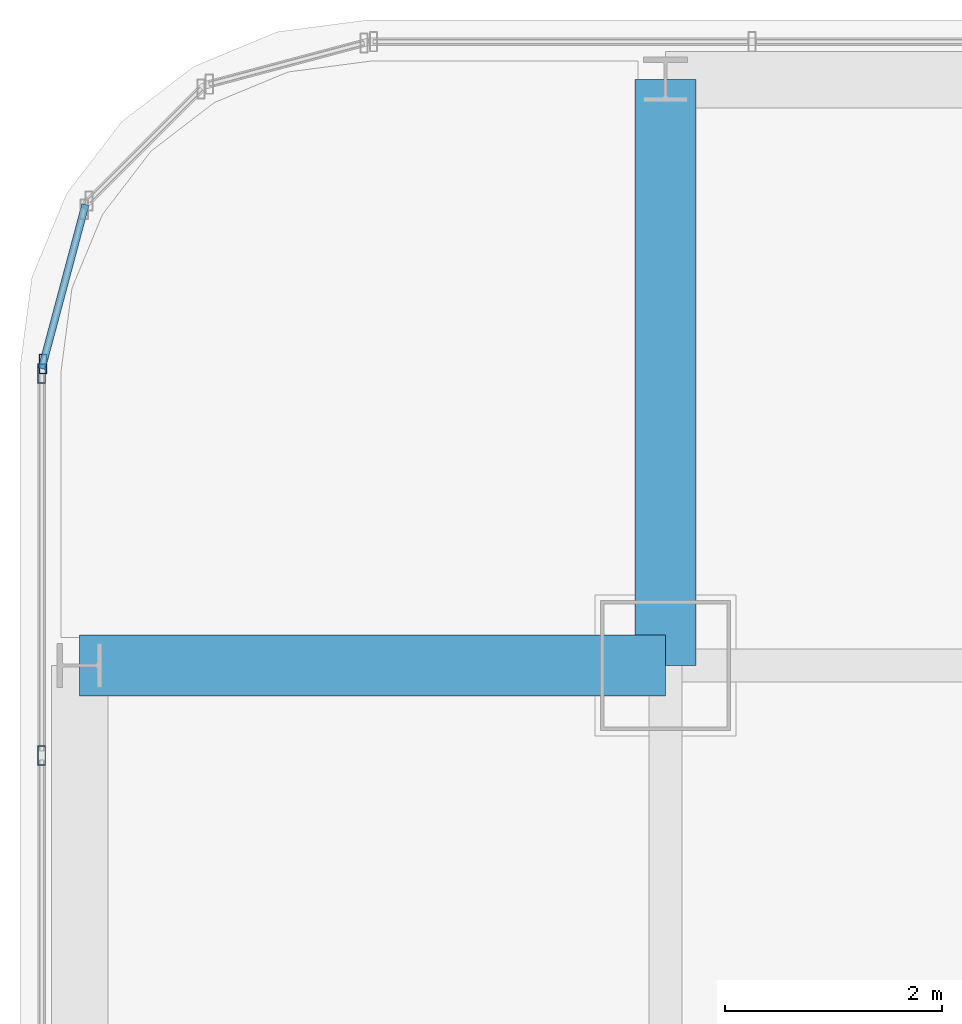
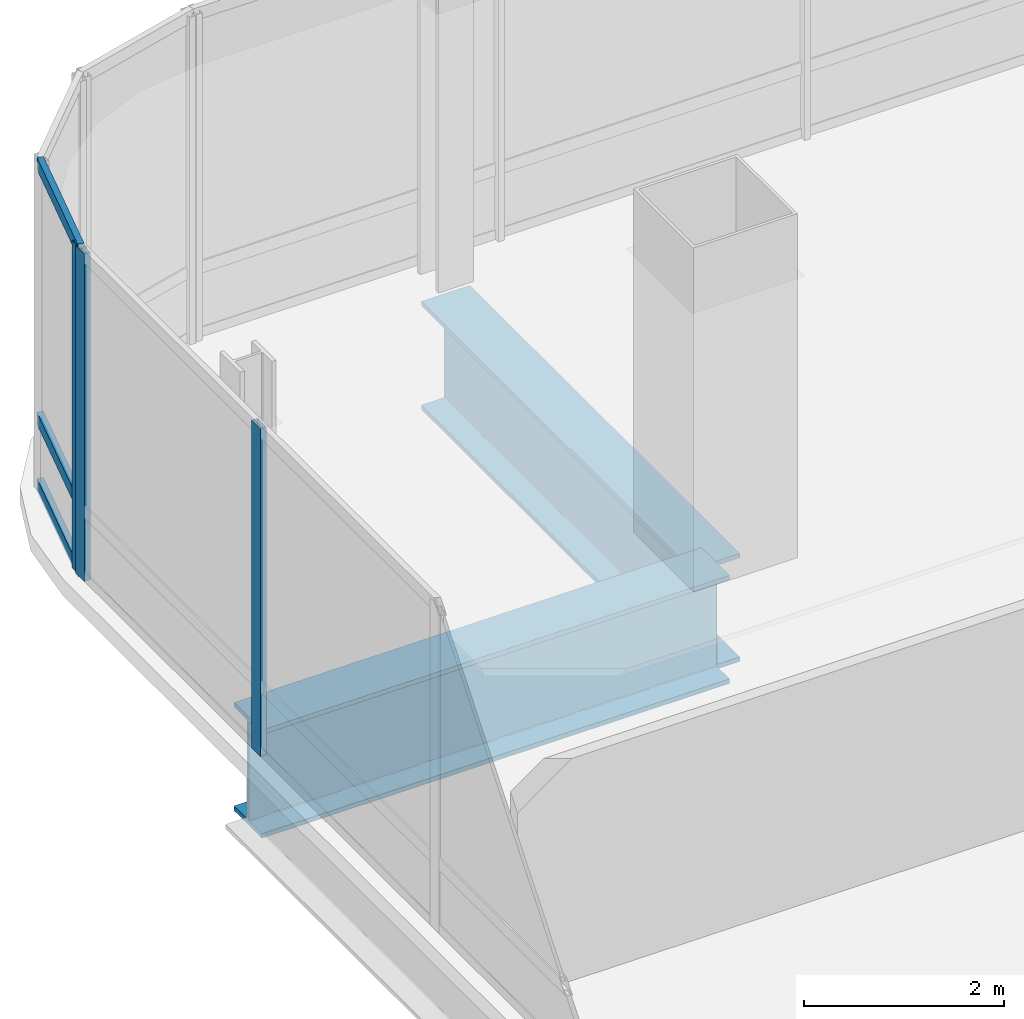
# One storey, part 21 of 41: 6 members, 2 beams, 2 elements without a shape of their own.
"""IFC4 building model written with IfcOpenShell, lengths in metres."""

from ifc_helpers import new_model, si_unit, direction, frame, origin, origin_2d, place, context, subcontext, project, spatial, hollow_rectangle, i_section, extrude, material, material_profile, profile_set, type_object, element, aggregate, save


model = new_model("IFC4")

# Units and contexts
model_context = context("Model", 3, precision=1e-05, world=origin(), true_north=direction((0.0, 1.0)))
body_context = subcontext(model_context, "Body", "Model", "MODEL_VIEW")
ifc_project = project(units=[si_unit("LENGTHUNIT", "METRE"), si_unit("AREAUNIT", "SQUARE_METRE"), si_unit("VOLUMEUNIT", "CUBIC_METRE"), si_unit("PLANEANGLEUNIT", "RADIAN"), si_unit("MASSUNIT", "GRAM", prefix="KILO")], contexts=[model_context])

# Site, building, storey
site_placement = place(None, origin())
site = spatial("IfcSite", under=ifc_project, at=site_placement, CompositionType="ELEMENT")
building_placement = place(site_placement, origin())
building = spatial("IfcBuilding", under=site, at=building_placement, Name="Punatoya Terracotta Tower", CompositionType="ELEMENT")
storey_placement = place(building_placement, frame((0.0, 0.0, 309.0)))
storey = spatial("IfcBuildingStorey", under=building, at=storey_placement, Name="L73", CompositionType="ELEMENT", Elevation=309.0)

# Beams
ifc_material_1 = material(Name="Steel S460", Category="steel")
ifc_material_profile_1 = material_profile(ifc_material_1, i_section(OverallWidth=0.56005859375, OverallDepth=1.320068359375, WebThickness=0.035888671875, FlangeThickness=0.054931640625, FilletRadius=0.01806640625, at=origin_2d()))
ifc_profile_set_1 = profile_set([ifc_material_profile_1], Name="Steel S460")
beam_type = type_object("IfcBeamType", Name="BM-TG-BLK", PredefinedType="BEAM", material=ifc_profile_set_1)
for number, where, z_axis, x_axis, name in (
    (1, (-24.5, 17.5, -0.860107421875), (1.0, 0.0, 0.0), (0.0, 1.0, 0.0), "BM-L73-CANT-W4"),
    (2, (-19.10009765625, 17.5, -0.860107421875), (0.0, 1.0, 0.0), (-1.0, 0.0, 0.0), "BM-L73-CANT-N1"),
):
    element("IfcBeam", number, at=place(storey_placement, frame(where, z_axis=z_axis, x_axis=x_axis)), inside=storey, type_object=beam_type, Name=name, PredefinedType="BEAM", context=body_context, shape_type="SweptSolid", body=[
        extrude(i_section(OverallWidth=0.56005859375, OverallDepth=1.320068359375, WebThickness=0.035888671875, FlangeThickness=0.054931640625, FilletRadius=0.01806640625, at=origin_2d()), origin(), (0.0, 0.0, 1.0), 5.39990234375),
    ])

# Curtain wall, member
ifc_material_2 = material(Name="Aluminium 6063-T6 + Double Low-E Glass", Category="aluminium")
curtain_wall_type = type_object("IfcCurtainWallType", Name="CW-M3", PredefinedType="NOTDEFINED", material=ifc_material_2)
curtain_wall_1_placement = place(storey_placement, origin())
curtain_wall_1 = element("IfcCurtainWall", 3, at=curtain_wall_1_placement, inside=storey, type_object=curtain_wall_type, Name="L73 Curtain Wall CW-L73-CRN12", PredefinedType="NOTDEFINED")
ifc_material_3 = material(Name="Aluminium 6063-T6", Category="aluminium")
ifc_material_profile_2 = material_profile(ifc_material_3, hollow_rectangle(XDim=0.070068359375, YDim=0.179931640625, WallThickness=0.00390625, at=origin_2d()))
ifc_profile_set_2 = profile_set([ifc_material_profile_2], Name="Aluminium 6063-T6")
member_type_1 = type_object("IfcMemberType", Name="CW-MUL-M3", PredefinedType="MULLION", material=ifc_profile_set_2)
member_1_placement = place(storey_placement, frame((-24.83837890625, 20.280517578125, 0.0), z_axis=(0.0, 0.0, 1.0), x_axis=(1.0, 0.0, 0.0)))
member_1 = element("IfcMember", 4, at=member_1_placement, type_object=member_type_1, Name="CW-L73-CRN12 Mullion 01", PredefinedType="MULLION", context=body_context, shape_type="SweptSolid", body=[
    extrude(hollow_rectangle(XDim=0.070068359375, YDim=0.179931640625, WallThickness=0.00390625, at=origin_2d()), origin(), (0.0, 0.0, 1.0), 4.0),
])

# Curtain wall, members
curtain_wall_2_placement = place(storey_placement, origin())
curtain_wall_2 = element("IfcCurtainWall", 5, at=curtain_wall_2_placement, inside=storey, type_object=curtain_wall_type, Name="L73 Curtain Wall CW-L73-W13-1", PredefinedType="NOTDEFINED")
member_2_placement = place(storey_placement, frame((-24.85009765625, 20.19189453125, 0.0), z_axis=(0.0, 0.0, 1.0), x_axis=(1.0, 0.0, 0.0)))
member_2 = element("IfcMember", 6, at=member_2_placement, type_object=member_type_1, Name="CW-L73-W13-1 Mullion 00", PredefinedType="MULLION", context=body_context, shape_type="SweptSolid", body=[
    extrude(hollow_rectangle(XDim=0.070068359375, YDim=0.179931640625, WallThickness=0.00390625, at=origin_2d()), origin(), (0.0, 0.0, 1.0), 4.0),
])
member_3_placement = place(storey_placement, frame((-24.85009765625, 16.66943359375, 0.0), z_axis=(0.0, 0.0, 1.0), x_axis=(1.0, 0.0, 0.0)))
member_3 = element("IfcMember", 7, at=member_3_placement, type_object=member_type_1, Name="CW-L73-W13-1 Mullion 01", PredefinedType="MULLION", context=body_context, shape_type="SweptSolid", body=[
    extrude(hollow_rectangle(XDim=0.070068359375, YDim=0.179931640625, WallThickness=0.00390625, at=origin_2d()), origin(), (0.0, 0.0, 1.0), 4.0),
])
aggregate(curtain_wall_2, [member_2, member_3])

# Member
ifc_material_profile_3 = material_profile(ifc_material_3, hollow_rectangle(XDim=0.068115234375, YDim=0.14990234375, WallThickness=0.00390625, at=origin_2d()))
ifc_profile_set_3 = profile_set([ifc_material_profile_3], Name="Aluminium 6063-T6")
member_type_2 = type_object("IfcMemberType", Name="CW-TRN-TYP", PredefinedType="USERDEFINED", material=ifc_profile_set_3)
member_4_placement = place(storey_placement, frame((-24.446533203125, 21.7490234375, 0.0400390625), z_axis=(-0.257847112249, -0.966185730957, 0.0), x_axis=(0.966185730957, -0.257847112249, 0.0)))
member_4 = element("IfcMember", 8, at=member_4_placement, type_object=member_type_2, Name="CW-L73-CRN12 Transom 1", ObjectType="TRANSOM", PredefinedType="USERDEFINED", context=body_context, shape_type="SweptSolid", body=[
    extrude(hollow_rectangle(XDim=0.068115234375, YDim=0.14990234375, WallThickness=0.00390625, at=origin_2d()), origin(), (0.0, 0.0, 1.0), 1.565185546875),
])

member_5_placement = place(storey_placement, frame((-24.446533203125, 21.7490234375, 0.85009765625), z_axis=(-0.257847112249, -0.966185730957, 0.0), x_axis=(0.966185730957, -0.257847112249, 0.0)))
member_5 = element("IfcMember", 9, at=member_5_placement, type_object=member_type_2, Name="CW-L73-CRN12 Transom 2", ObjectType="TRANSOM", PredefinedType="USERDEFINED", context=body_context, shape_type="SweptSolid", body=[
    extrude(hollow_rectangle(XDim=0.068115234375, YDim=0.14990234375, WallThickness=0.00390625, at=origin_2d()), origin(), (0.0, 0.0, 1.0), 1.565185546875),
])

member_6_placement = place(storey_placement, frame((-24.446533203125, 21.7490234375, 3.9599609375), z_axis=(-0.257847112249, -0.966185730957, 0.0), x_axis=(0.966185730957, -0.257847112249, 0.0)))
member_6 = element("IfcMember", 10, at=member_6_placement, type_object=member_type_2, Name="CW-L73-CRN12 Transom 3", ObjectType="TRANSOM", PredefinedType="USERDEFINED", context=body_context, shape_type="SweptSolid", body=[
    extrude(hollow_rectangle(XDim=0.068115234375, YDim=0.14990234375, WallThickness=0.00390625, at=origin_2d()), origin(), (0.0, 0.0, 1.0), 1.565185546875),
])

aggregate(curtain_wall_1, [member_1, member_4, member_5, member_6])

save(model, "model.ifc")
